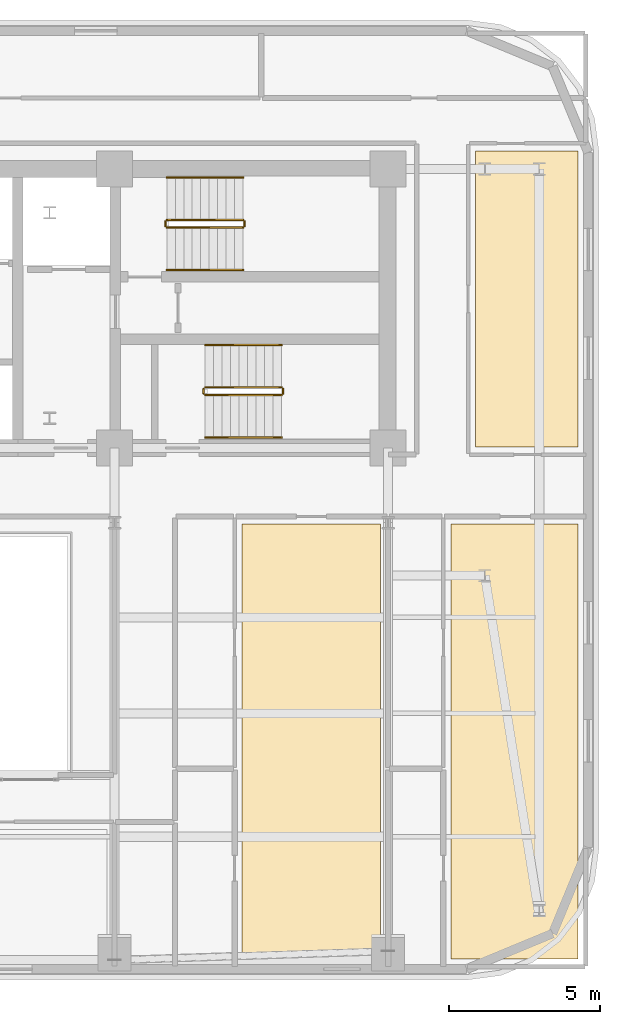
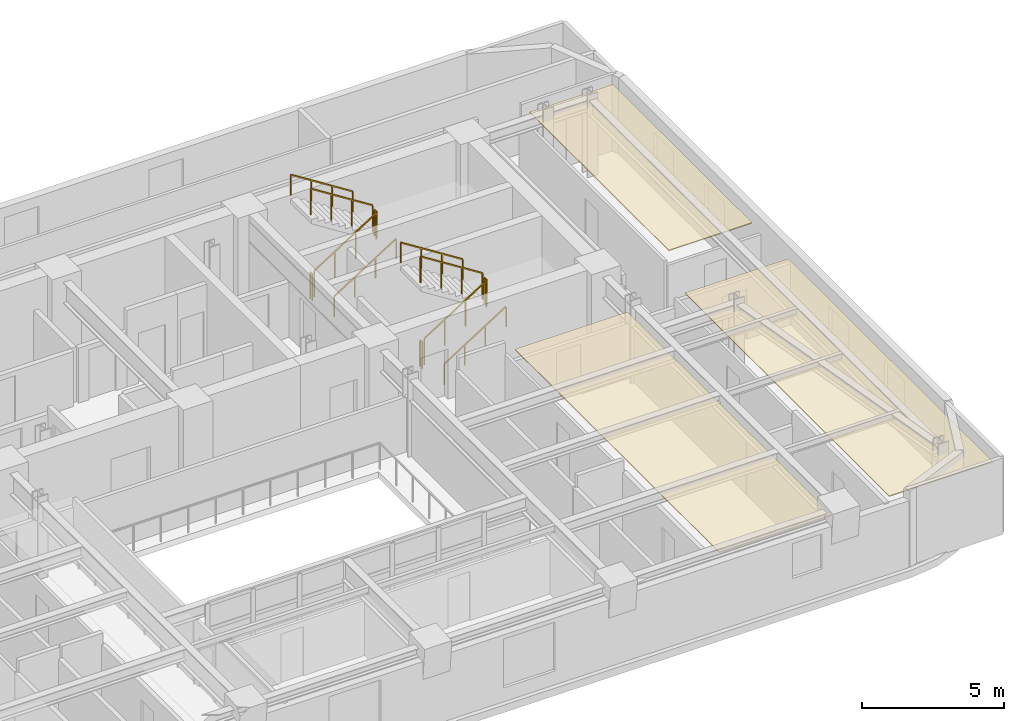
# One storey, part 12 of 12: 12 railings, 3 coverings.
"""IFC4 building model written with IfcOpenShell, lengths in metres."""

from ifc_helpers import new_model, si_unit, direction, frame, origin, origin_2d, place, context, subcontext, project, spatial, polyline, rectangle, outline, extrude, material, layer, layer_set, type_object, element, save


model = new_model("IFC4")

# Units and contexts
model_context = context("Model", 3, precision=1e-05, world=origin(), true_north=direction((0.0, 1.0)))
body_context = subcontext(model_context, "Body", "Model", "MODEL_VIEW")
ifc_project = project(units=[si_unit("LENGTHUNIT", "METRE"), si_unit("AREAUNIT", "SQUARE_METRE"), si_unit("VOLUMEUNIT", "CUBIC_METRE"), si_unit("PLANEANGLEUNIT", "RADIAN"), si_unit("MASSUNIT", "GRAM", prefix="KILO")], contexts=[model_context])

# Site, building, storey
site_placement = place(None, origin())
site = spatial("IfcSite", under=ifc_project, at=site_placement, CompositionType="ELEMENT")
building_placement = place(site_placement, origin())
building = spatial("IfcBuilding", under=site, at=building_placement, Name="Zarnavel Station Tower", CompositionType="ELEMENT")
storey_placement = place(building_placement, frame((0.0, 0.0, 166.10009765625)))
storey = spatial("IfcBuildingStorey", under=building, at=storey_placement, Name="L45", CompositionType="ELEMENT", Elevation=166.10009765625)

# Coverings
ifc_material_1 = material(Name="Perforated Gypsum and Mineral-Wool Acoustic Ceiling", Category="concrete")
ifc_layer = layer(ifc_material_1, 0.0400390625)
ifc_layer_set = layer_set([ifc_layer], Name="COV_CEIL_ACOUSTIC")
covering_type = type_object("IfcCoveringType", Name="COV_CEIL_ACOUSTIC", PredefinedType="CEILING", material=ifc_layer_set)
covering_1_placement = place(storey_placement, frame((0.0, 0.0, 2.969970703125)))
element("IfcCovering", 1, at=covering_1_placement, inside=storey, type_object=covering_type, Name="L45 FNE Acoustic Ceiling", PredefinedType="CEILING", context=body_context, shape_type="SweptSolid", body=[
    extrude(outline(polyline([(48.300048828125, 27.85009765625), (51.68994140625, 27.85009765625), (51.68994140625, 37.64990234375), (48.300048828125, 37.64990234375), (48.300048828125, 27.85009765625)])), origin(), (0.0, 0.0, 1.0), 0.0400390625),
])
covering_2_placement = place(storey_placement, frame((0.0, 0.0, 2.969970703125)))
element("IfcCovering", 2, at=covering_2_placement, inside=storey, type_object=covering_type, Name="L45 HE1R Acoustic Ceiling", PredefinedType="CEILING", context=body_context, shape_type="SweptSolid", body=[
    extrude(outline(polyline([(40.573974609375, 10.909912109375), (45.14990234375, 10.909912109375), (45.14990234375, 25.300048828125), (40.573974609375, 25.300048828125), (40.573974609375, 10.909912109375)])), origin(), (0.0, 0.0, 1.0), 0.0400390625),
])
covering_3_placement = place(storey_placement, frame((0.0, 0.0, 2.969970703125)))
element("IfcCovering", 3, at=covering_3_placement, inside=storey, type_object=covering_type, Name="L45 HE2R Acoustic Ceiling", PredefinedType="CEILING", context=body_context, shape_type="SweptSolid", body=[
    extrude(outline(polyline([(47.48095703125, 10.909912109375), (51.68994140625, 10.909912109375), (51.68994140625, 25.300048828125), (47.48095703125, 25.300048828125), (47.48095703125, 10.909912109375)])), origin(), (0.0, 0.0, 1.0), 0.0400390625),
])

# Railings
ifc_material_2 = material(Name="Painted Steel S355J2 Balustrade", Category="steel")
railing_type_1 = type_object("IfcRailingType", Name="GR_INT_1150", PredefinedType="GUARDRAIL", material=ifc_material_2)
railing_1_placement = place(storey_placement, frame((38.080078125, 35.110107421875, 0.177490234375)))
element("IfcRailing", 4, at=railing_1_placement, inside=storey, type_object=railing_type_1, Name="L45 ST2 stair guard 1", PredefinedType="GUARDRAIL", context=body_context, shape_type="SweptSolid", body=[
    extrude(rectangle(XDim=0.048095703125, YDim=0.048095703125, at=origin_2d()), frame((0.001708984375, 0.0, 1.126953125), z_axis=(0.84460694969, 0.0, 0.535386869969), x_axis=(0.0, 1.0, 0.0)), (0.0, 0.0, 1.0), 2.979736328125),
    extrude(rectangle(XDim=0.0419921875, YDim=0.0419921875, at=origin_2d()), origin(), (0.0, 0.0, 1.0), 1.101806640625),
    extrude(rectangle(XDim=0.0419921875, YDim=0.0419921875, at=origin_2d()), frame((0.840087890625, 0.0, 0.532470703125)), (0.0, 0.0, 1.0), 1.101806640625),
    extrude(rectangle(XDim=0.0419921875, YDim=0.0419921875, at=origin_2d()), frame((1.679931640625, 0.0, 1.06494140625)), (0.0, 0.0, 1.0), 1.101806640625),
    extrude(rectangle(XDim=0.0419921875, YDim=0.0419921875, at=origin_2d()), frame((2.52001953125, 0.0, 1.597412109375)), (0.0, 0.0, 1.0), 1.101806640625),
])
railing_2_placement = place(storey_placement, frame((40.64990234375, 35.159912109375, 1.77490234375)))
element("IfcRailing", 5, at=railing_2_placement, inside=storey, type_object=railing_type_1, Name="L45 ST2 stair guard 2", PredefinedType="GUARDRAIL", context=body_context, shape_type="SweptSolid", body=[
    extrude(rectangle(XDim=0.048095703125, YDim=0.048095703125, at=origin_2d()), frame((0.0, 0.001953125, 1.1259765625), z_axis=(0.0, 1.0, 0.0), x_axis=(-1.0, 0.0, 0.0)), (0.0, 0.0, 1.0), 0.15625),
    extrude(rectangle(XDim=0.0419921875, YDim=0.0419921875, at=origin_2d()), origin(), (0.0, 0.0, 1.0), 1.101806640625),
    extrude(rectangle(XDim=0.0419921875, YDim=0.0419921875, at=origin_2d()), frame((0.0, 0.16015625, 0.0)), (0.0, 0.0, 1.0), 1.101806640625),
])
railing_3_placement = place(storey_placement, frame((40.60009765625, 35.3701171875, 1.952392578125)))
element("IfcRailing", 6, at=railing_3_placement, inside=storey, type_object=railing_type_1, Name="L45 ST2 stair guard 3", PredefinedType="GUARDRAIL", context=body_context, shape_type="SweptSolid", body=[
    extrude(rectangle(XDim=0.048095703125, YDim=0.048095703125, at=origin_2d()), frame((-0.001708984375, 0.0, 1.126953125), z_axis=(-0.84460694969, 0.0, 0.535386869969), x_axis=(0.0, -1.0, 0.0)), (0.0, 0.0, 1.0), 2.979736328125),
    extrude(rectangle(XDim=0.0419921875, YDim=0.0419921875, at=origin_2d()), origin(), (0.0, 0.0, 1.0), 1.101806640625),
    extrude(rectangle(XDim=0.0419921875, YDim=0.0419921875, at=origin_2d()), frame((-0.840087890625, 0.0, 0.532470703125)), (0.0, 0.0, 1.0), 1.101806640625),
    extrude(rectangle(XDim=0.0419921875, YDim=0.0419921875, at=origin_2d()), frame((-1.679931640625, 0.0, 1.06494140625)), (0.0, 0.0, 1.0), 1.101806640625),
    extrude(rectangle(XDim=0.0419921875, YDim=0.0419921875, at=origin_2d()), frame((-2.52001953125, 0.0, 1.597412109375)), (0.0, 0.0, 1.0), 1.101806640625),
])
railing_4_placement = place(storey_placement, frame((38.030029296875, 35.159912109375, 0.0)))
element("IfcRailing", 7, at=railing_4_placement, inside=storey, type_object=railing_type_1, Name="L45 ST2 stair guard 4", PredefinedType="GUARDRAIL", context=body_context, shape_type="SweptSolid", body=[
    extrude(rectangle(XDim=0.048095703125, YDim=0.048095703125, at=origin_2d()), frame((0.0, 0.001953125, 1.1259765625), z_axis=(0.0, 1.0, 0.0), x_axis=(-1.0, 0.0, 0.0)), (0.0, 0.0, 1.0), 0.15625),
    extrude(rectangle(XDim=0.0419921875, YDim=0.0419921875, at=origin_2d()), origin(), (0.0, 0.0, 1.0), 1.101806640625),
    extrude(rectangle(XDim=0.0419921875, YDim=0.0419921875, at=origin_2d()), frame((0.0, 0.16015625, 0.0)), (0.0, 0.0, 1.0), 1.101806640625),
])
railing_5_placement = place(storey_placement, frame((39.35009765625, 29.570068359375, 0.177490234375)))
element("IfcRailing", 8, at=railing_5_placement, inside=storey, type_object=railing_type_1, Name="L45 ST3 stair guard 1", PredefinedType="GUARDRAIL", context=body_context, shape_type="SweptSolid", body=[
    extrude(rectangle(XDim=0.048095703125, YDim=0.048095703125, at=origin_2d()), frame((0.001708984375, 0.0, 1.126953125), z_axis=(0.84460694969, 0.0, 0.535386869969), x_axis=(0.0, 1.0, 0.0)), (0.0, 0.0, 1.0), 2.979736328125),
    extrude(rectangle(XDim=0.0419921875, YDim=0.0419921875, at=origin_2d()), origin(), (0.0, 0.0, 1.0), 1.101806640625),
    extrude(rectangle(XDim=0.0419921875, YDim=0.0419921875, at=origin_2d()), frame((0.840087890625, 0.0, 0.532470703125)), (0.0, 0.0, 1.0), 1.101806640625),
    extrude(rectangle(XDim=0.0419921875, YDim=0.0419921875, at=origin_2d()), frame((1.679931640625, 0.0, 1.06494140625)), (0.0, 0.0, 1.0), 1.101806640625),
    extrude(rectangle(XDim=0.0419921875, YDim=0.0419921875, at=origin_2d()), frame((2.52001953125, 0.0, 1.597412109375)), (0.0, 0.0, 1.0), 1.101806640625),
])
railing_6_placement = place(storey_placement, frame((41.919921875, 29.6201171875, 1.77490234375)))
element("IfcRailing", 9, at=railing_6_placement, inside=storey, type_object=railing_type_1, Name="L45 ST3 stair guard 2", PredefinedType="GUARDRAIL", context=body_context, shape_type="SweptSolid", body=[
    extrude(rectangle(XDim=0.048095703125, YDim=0.048095703125, at=origin_2d()), frame((0.0, 0.001953125, 1.1259765625), z_axis=(0.0, 1.0, 0.0), x_axis=(-1.0, 0.0, 0.0)), (0.0, 0.0, 1.0), 0.156005859375),
    extrude(rectangle(XDim=0.0419921875, YDim=0.0419921875, at=origin_2d()), origin(), (0.0, 0.0, 1.0), 1.101806640625),
    extrude(rectangle(XDim=0.0419921875, YDim=0.0419921875, at=origin_2d()), frame((0.0, 0.159912109375, 0.0)), (0.0, 0.0, 1.0), 1.101806640625),
])
railing_7_placement = place(storey_placement, frame((41.8701171875, 29.830078125, 1.952392578125)))
element("IfcRailing", 10, at=railing_7_placement, inside=storey, type_object=railing_type_1, Name="L45 ST3 stair guard 3", PredefinedType="GUARDRAIL", context=body_context, shape_type="SweptSolid", body=[
    extrude(rectangle(XDim=0.048095703125, YDim=0.048095703125, at=origin_2d()), frame((-0.001708984375, 0.0, 1.126953125), z_axis=(-0.84460694969, 0.0, 0.535386869969), x_axis=(0.0, -1.0, 0.0)), (0.0, 0.0, 1.0), 2.979736328125),
    extrude(rectangle(XDim=0.0419921875, YDim=0.0419921875, at=origin_2d()), origin(), (0.0, 0.0, 1.0), 1.101806640625),
    extrude(rectangle(XDim=0.0419921875, YDim=0.0419921875, at=origin_2d()), frame((-0.840087890625, 0.0, 0.532470703125)), (0.0, 0.0, 1.0), 1.101806640625),
    extrude(rectangle(XDim=0.0419921875, YDim=0.0419921875, at=origin_2d()), frame((-1.679931640625, 0.0, 1.06494140625)), (0.0, 0.0, 1.0), 1.101806640625),
    extrude(rectangle(XDim=0.0419921875, YDim=0.0419921875, at=origin_2d()), frame((-2.52001953125, 0.0, 1.597412109375)), (0.0, 0.0, 1.0), 1.101806640625),
])
railing_8_placement = place(storey_placement, frame((39.300048828125, 29.6201171875, 0.0)))
element("IfcRailing", 11, at=railing_8_placement, inside=storey, type_object=railing_type_1, Name="L45 ST3 stair guard 4", PredefinedType="GUARDRAIL", context=body_context, shape_type="SweptSolid", body=[
    extrude(rectangle(XDim=0.048095703125, YDim=0.048095703125, at=origin_2d()), frame((0.0, 0.001953125, 1.1259765625), z_axis=(0.0, 1.0, 0.0), x_axis=(-1.0, 0.0, 0.0)), (0.0, 0.0, 1.0), 0.156005859375),
    extrude(rectangle(XDim=0.0419921875, YDim=0.0419921875, at=origin_2d()), origin(), (0.0, 0.0, 1.0), 1.101806640625),
    extrude(rectangle(XDim=0.0419921875, YDim=0.0419921875, at=origin_2d()), frame((0.0, 0.159912109375, 0.0)), (0.0, 0.0, 1.0), 1.101806640625),
])
ifc_material_3 = material(Name="Brushed Stainless Steel S355J2 Handrail", Category="steel")
railing_type_2 = type_object("IfcRailingType", Name="HR_STAIR_900", PredefinedType="HANDRAIL", material=ifc_material_3)
railing_9_placement = place(storey_placement, frame((38.080078125, 33.7099609375, 0.177490234375)))
element("IfcRailing", 12, at=railing_9_placement, inside=storey, type_object=railing_type_2, Name="L45 ST2 stair handrail 1", PredefinedType="HANDRAIL", context=body_context, shape_type="SweptSolid", body=[
    extrude(rectangle(XDim=0.048095703125, YDim=0.048095703125, at=origin_2d()), frame((0.001708984375, 0.0, 0.876953125), z_axis=(0.84460694969, 0.0, 0.535386869969), x_axis=(0.0, 1.0, 0.0)), (0.0, 0.0, 1.0), 2.979736328125),
    extrude(rectangle(XDim=0.0419921875, YDim=0.0419921875, at=origin_2d()), origin(), (0.0, 0.0, 1.0), 0.851806640625),
    extrude(rectangle(XDim=0.0419921875, YDim=0.0419921875, at=origin_2d()), frame((0.840087890625, 0.0, 0.532470703125)), (0.0, 0.0, 1.0), 0.851806640625),
    extrude(rectangle(XDim=0.0419921875, YDim=0.0419921875, at=origin_2d()), frame((1.679931640625, 0.0, 1.06494140625)), (0.0, 0.0, 1.0), 0.851806640625),
    extrude(rectangle(XDim=0.0419921875, YDim=0.0419921875, at=origin_2d()), frame((2.52001953125, 0.0, 1.597412109375)), (0.0, 0.0, 1.0), 0.851806640625),
])
railing_10_placement = place(storey_placement, frame((40.60009765625, 36.77001953125, 1.952392578125)))
element("IfcRailing", 13, at=railing_10_placement, inside=storey, type_object=railing_type_2, Name="L45 ST2 stair handrail 2", PredefinedType="HANDRAIL", context=body_context, shape_type="SweptSolid", body=[
    extrude(rectangle(XDim=0.048095703125, YDim=0.048095703125, at=origin_2d()), frame((-0.001708984375, 0.0, 0.876953125), z_axis=(-0.84460694969, 0.0, 0.535386869969), x_axis=(0.0, -1.0, 0.0)), (0.0, 0.0, 1.0), 2.979736328125),
    extrude(rectangle(XDim=0.0419921875, YDim=0.0419921875, at=origin_2d()), origin(), (0.0, 0.0, 1.0), 0.851806640625),
    extrude(rectangle(XDim=0.0419921875, YDim=0.0419921875, at=origin_2d()), frame((-0.840087890625, 0.0, 0.532470703125)), (0.0, 0.0, 1.0), 0.851806640625),
    extrude(rectangle(XDim=0.0419921875, YDim=0.0419921875, at=origin_2d()), frame((-1.679931640625, 0.0, 1.06494140625)), (0.0, 0.0, 1.0), 0.851806640625),
    extrude(rectangle(XDim=0.0419921875, YDim=0.0419921875, at=origin_2d()), frame((-2.52001953125, 0.0, 1.597412109375)), (0.0, 0.0, 1.0), 0.851806640625),
])
railing_11_placement = place(storey_placement, frame((39.35009765625, 28.169921875, 0.177490234375)))
element("IfcRailing", 14, at=railing_11_placement, inside=storey, type_object=railing_type_2, Name="L45 ST3 stair handrail 1", PredefinedType="HANDRAIL", context=body_context, shape_type="SweptSolid", body=[
    extrude(rectangle(XDim=0.048095703125, YDim=0.048095703125, at=origin_2d()), frame((0.001708984375, 0.0, 0.876953125), z_axis=(0.84460694969, 0.0, 0.535386869969), x_axis=(0.0, 1.0, 0.0)), (0.0, 0.0, 1.0), 2.979736328125),
    extrude(rectangle(XDim=0.0419921875, YDim=0.0419921875, at=origin_2d()), origin(), (0.0, 0.0, 1.0), 0.851806640625),
    extrude(rectangle(XDim=0.0419921875, YDim=0.0419921875, at=origin_2d()), frame((0.840087890625, 0.0, 0.532470703125)), (0.0, 0.0, 1.0), 0.851806640625),
    extrude(rectangle(XDim=0.0419921875, YDim=0.0419921875, at=origin_2d()), frame((1.679931640625, 0.0, 1.06494140625)), (0.0, 0.0, 1.0), 0.851806640625),
    extrude(rectangle(XDim=0.0419921875, YDim=0.0419921875, at=origin_2d()), frame((2.52001953125, 0.0, 1.597412109375)), (0.0, 0.0, 1.0), 0.851806640625),
])
railing_12_placement = place(storey_placement, frame((41.8701171875, 31.22998046875, 1.952392578125)))
element("IfcRailing", 15, at=railing_12_placement, inside=storey, type_object=railing_type_2, Name="L45 ST3 stair handrail 2", PredefinedType="HANDRAIL", context=body_context, shape_type="SweptSolid", body=[
    extrude(rectangle(XDim=0.048095703125, YDim=0.048095703125, at=origin_2d()), frame((-0.001708984375, 0.0, 0.876953125), z_axis=(-0.84460694969, 0.0, 0.535386869969), x_axis=(0.0, -1.0, 0.0)), (0.0, 0.0, 1.0), 2.979736328125),
    extrude(rectangle(XDim=0.0419921875, YDim=0.0419921875, at=origin_2d()), origin(), (0.0, 0.0, 1.0), 0.851806640625),
    extrude(rectangle(XDim=0.0419921875, YDim=0.0419921875, at=origin_2d()), frame((-0.840087890625, 0.0, 0.532470703125)), (0.0, 0.0, 1.0), 0.851806640625),
    extrude(rectangle(XDim=0.0419921875, YDim=0.0419921875, at=origin_2d()), frame((-1.679931640625, 0.0, 1.06494140625)), (0.0, 0.0, 1.0), 0.851806640625),
    extrude(rectangle(XDim=0.0419921875, YDim=0.0419921875, at=origin_2d()), frame((-2.52001953125, 0.0, 1.597412109375)), (0.0, 0.0, 1.0), 0.851806640625),
])

save(model, "model.ifc")
